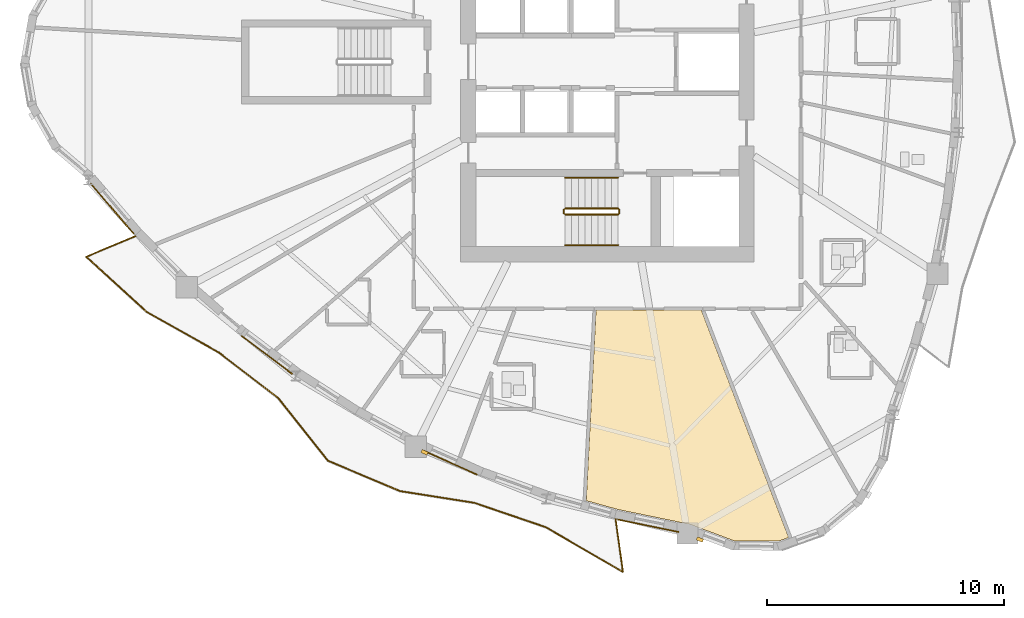
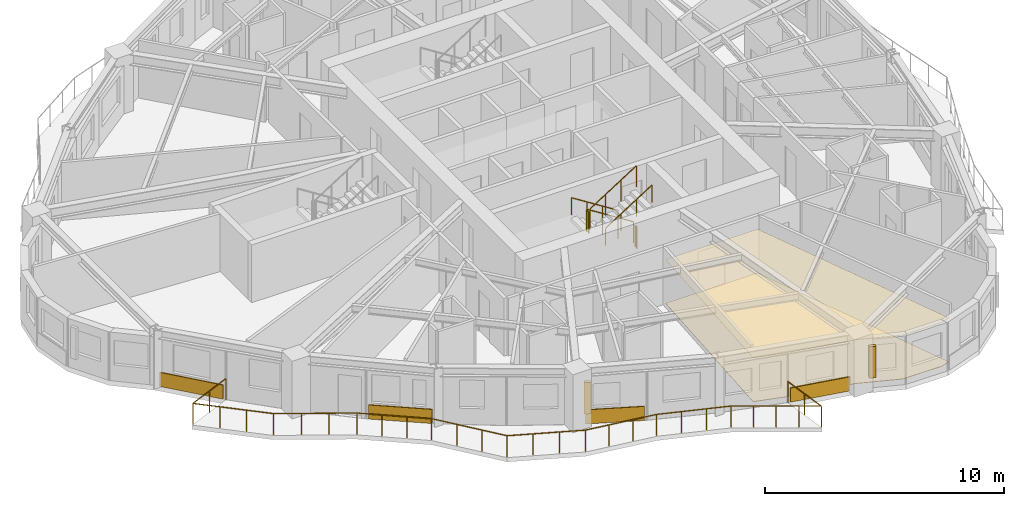
# One storey, part 10 of 13: 7 railings, 6 coverings, 2 shading devices.
"""IFC4 building model written with IfcOpenShell, lengths in metres."""

from ifc_helpers import new_model, si_unit, direction, frame, origin, origin_2d, place, context, subcontext, project, spatial, polyline, rectangle, circle, outline, extrude, source, transform, mapped, material, layer, layer_set, type_object, element, save


model = new_model("IFC4")

# Units and contexts
model_context = context("Model", 3, precision=1e-05, world=origin(), true_north=direction((0.0, 1.0)))
body_context = subcontext(model_context, "Body", "Model", "MODEL_VIEW")
ifc_project = project(units=[si_unit("LENGTHUNIT", "METRE"), si_unit("AREAUNIT", "SQUARE_METRE"), si_unit("VOLUMEUNIT", "CUBIC_METRE"), si_unit("PLANEANGLEUNIT", "RADIAN"), si_unit("MASSUNIT", "GRAM", prefix="KILO")], contexts=[model_context])

# Site, building, storey
site_placement = place(None, origin())
site = spatial("IfcSite", under=ifc_project, at=site_placement, CompositionType="ELEMENT")
building_placement = place(site_placement, origin())
building = spatial("IfcBuilding", under=site, at=building_placement, Name="Qafzar Sky-Pleat Residences", CompositionType="ELEMENT")
storey_placement = place(building_placement, frame((0.0, 0.0, 102.39990234375)))
storey = spatial("IfcBuildingStorey", under=building, at=storey_placement, Name="L30", CompositionType="ELEMENT", Elevation=102.39990234375)

# Coverings
ifc_material_1 = material(Name="Perforated acoustic gypsum board ceiling")
ifc_layer_1 = layer(ifc_material_1, 0.02001953125)
ifc_layer_set_1 = layer_set([ifc_layer_1], Name="Perforated acoustic gypsum board ceiling")
covering_type_1 = type_object("IfcCoveringType", Name="COV-CEIL-ACOUSTIC", PredefinedType="CEILING", material=ifc_layer_set_1)
covering_1_placement = place(storey_placement, frame((0.0, 0.0, 2.239990234375)))
element("IfcCovering", 1, at=covering_1_placement, inside=storey, type_object=covering_type_1, Name="L30 Co-Living Lounge Acoustic Ceiling", PredefinedType="CEILING", context=body_context, shape_type="SweptSolid", body=[
    extrude(outline(polyline([(37.58349609375, 5.749267578125), (35.69873046875, 5.76220703125), (33.840087890625, 6.456298828125), (30.7822265625, 7.086181640625), (29.45166015625, 7.45849609375), (29.867919921875, 15.510009765625), (34.315185546875, 15.510009765625), (38.006591796875, 5.900634765625), (37.58349609375, 5.749267578125)])), origin(), (0.0, 0.0, 1.0), 0.02001953125),
])
ifc_material_2 = material(Name="Honed porcelain and Riyadh stone tile flooring", Category="masonry")
ifc_layer_2 = layer(ifc_material_2, 0.02001953125)
ifc_layer_set_2 = layer_set([ifc_layer_2], Name="Honed porcelain and Riyadh stone tile flooring")
covering_type_2 = type_object("IfcCoveringType", Name="COV-FLR-PORCELAIN", PredefinedType="FLOORING", material=ifc_layer_set_2)
covering_2_placement = place(storey_placement, origin())
element("IfcCovering", 2, at=covering_2_placement, inside=storey, type_object=covering_type_2, Name="L30 Co-Living Lounge Honed Stone Flooring", PredefinedType="FLOORING", context=body_context, shape_type="SweptSolid", body=[
    extrude(outline(polyline([(37.58349609375, 5.749267578125), (35.69873046875, 5.76220703125), (33.840087890625, 6.456298828125), (30.7822265625, 7.086181640625), (29.45166015625, 7.45849609375), (29.867919921875, 15.510009765625), (34.315185546875, 15.510009765625), (38.006591796875, 5.900634765625), (37.58349609375, 5.749267578125)])), origin(), (0.0, 0.0, 1.0), 0.02001953125),
])

# Shading devices
ifc_material_3 = material(Name="Honed Riyadh limestone solar fin", Category="masonry")
ifc_layer_3 = layer(ifc_material_3, 0.139892578125)
ifc_layer_set_3 = layer_set([ifc_layer_3], Name="Honed Riyadh limestone solar fin")
shading_device_type = type_object("IfcShadingDeviceType", Name="SHD-FIN-STONE", PredefinedType="SHUTTER", material=ifc_layer_set_3)
shared_shape_1 = source(origin(), body_context, "Body", "SweptSolid", [
    extrude(rectangle(XDim=0.139892578125, YDim=0.280029296875, at=origin_2d()), origin(), (0.0, 0.0, 1.0), 1.60009765625),
])
for number, where, z_axis, x_axis, name in (
    (3, (22.621337890625, 9.502685546875, 0.60009765625), (0.0, 0.0, 1.0), (-0.407007311854, -0.913424900086, 0.0), "L30 Limestone Solar Fin 13"),
    (4, (34.257568359375, 5.814697265625, 0.60009765625), (0.0, 0.0, 1.0), (-0.349866381476, -0.936799613105, 0.0), "L30 Limestone Solar Fin 17"),
):
    element("IfcShadingDevice", number, at=place(storey_placement, frame(where, z_axis=z_axis, x_axis=x_axis)), inside=storey, type_object=shading_device_type, Name=name, PredefinedType="SHUTTER", context=body_context, shape_type="MappedRepresentation", body=[
        mapped(shared_shape_1, transform((0.0, 0.0, 0.0), x_axis=(1.0, 0.0, 0.0), y_axis=(0.0, 1.0, 0.0), z_axis=(0.0, 0.0, 1.0), scale=1.0)),
    ])

# Railing
ifc_material_4 = material(Name="Laminated glass and bronze steel balustrade", Category="steel")
railing_type_1 = type_object("IfcRailingType", Name="RAIL-BAL-1100", PredefinedType="BALUSTRADE", material=ifc_material_4)
shared_shape_2 = source(origin(), body_context, "Body", "SweptSolid", [
    extrude(circle(Radius=0.02392578125, at=origin_2d()), frame((0.0, 0.0, 1.076171875), z_axis=(-0.922372397599, -0.386301902853, 0.0), x_axis=(0.386301902853, -0.922372397599, 0.0)), (0.0, 0.0, 1.0), 2.270751953125),
    extrude(circle(Radius=0.02392578125, at=origin_2d()), frame((-2.094482421875, -0.877197265625, 1.076171875), z_axis=(0.737920092882, -0.67488809185, 0.0), x_axis=(0.67488809185, 0.737920092882, 0.0)), (0.0, 0.0, 1.0), 3.451171875),
    extrude(circle(Radius=0.02392578125, at=origin_2d()), frame((0.4521484375, -3.206298828125, 1.076171875), z_axis=(0.871838702574, -0.4897930958, 0.0), x_axis=(0.4897930958, 0.871838702574, 0.0)), (0.0, 0.0, 1.0), 3.49169921875),
    extrude(circle(Radius=0.02392578125, at=origin_2d()), frame((3.496337890625, -4.91650390625, 1.076171875), z_axis=(0.79366608484, -0.608353635458, 0.0), x_axis=(0.608353635458, 0.79366608484, 0.0)), (0.0, 0.0, 1.0), 3.157958984375),
    extrude(circle(Radius=0.02392578125, at=origin_2d()), frame((6.002685546875, -6.837646484375, 1.076171875), z_axis=(0.621723746758, -0.78323660711, 0.0), x_axis=(0.78323660711, 0.621723746758, 0.0)), (0.0, 0.0, 1.0), 3.39208984375),
    extrude(circle(Radius=0.02392578125, at=origin_2d()), frame((8.111572265625, -9.494384765625, 1.076171875), z_axis=(0.921530903709, -0.388305026376, 0.0), x_axis=(0.388305026376, 0.921530903709, 0.0)), (0.0, 0.0, 1.0), 3.30029296875),
    extrude(circle(Radius=0.02392578125, at=origin_2d()), frame((11.15283203125, -10.77587890625, 1.076171875), z_axis=(0.987713419374, -0.156276041632, 0.0), x_axis=(0.156276041632, 0.987713419374, 0.0)), (0.0, 0.0, 1.0), 3.199462890625),
    extrude(circle(Radius=0.02392578125, at=origin_2d()), frame((14.31298828125, -11.27587890625, 1.076171875), z_axis=(0.946044959925, -0.324035389735, 0.0), x_axis=(0.324035389735, 0.946044959925, 0.0)), (0.0, 0.0, 1.0), 3.17578125),
    extrude(circle(Radius=0.02392578125, at=origin_2d()), frame((17.3173828125, -12.304931640625, 1.076171875), z_axis=(0.865043001195, -0.501697723818, 0.0), x_axis=(0.501697723818, 0.865043001195, 0.0)), (0.0, 0.0, 1.0), 3.767578125),
    extrude(circle(Radius=0.02392578125, at=origin_2d()), frame((20.576416015625, -14.195068359375, 1.076171875), z_axis=(-0.138154338378, 0.990410712173, 0.0), x_axis=(-0.990410712173, -0.138154338378, 0.0)), (0.0, 0.0, 1.0), 2.270751953125),
    extrude(circle(Radius=0.02099609375, at=origin_2d()), origin(), (0.0, 0.0, 1.0), 1.052001953125),
    extrude(circle(Radius=0.02099609375, at=origin_2d()), frame((-1.04736328125, -0.4384765625, 0.0)), (0.0, 0.0, 1.0), 1.052001953125),
    extrude(circle(Radius=0.02099609375, at=origin_2d()), frame((-2.094482421875, -0.877197265625, 0.0)), (0.0, 0.0, 1.0), 1.052001953125),
    extrude(circle(Radius=0.02099609375, at=origin_2d()), frame((-1.24560546875, -1.653564453125, 0.0)), (0.0, 0.0, 1.0), 1.052001953125),
    extrude(circle(Radius=0.02099609375, at=origin_2d()), frame((-0.396728515625, -2.429931640625, 0.0)), (0.0, 0.0, 1.0), 1.052001953125),
    extrude(circle(Radius=0.02099609375, at=origin_2d()), frame((0.4521484375, -3.206298828125, 0.0)), (0.0, 0.0, 1.0), 1.052001953125),
    extrude(circle(Radius=0.02099609375, at=origin_2d()), frame((1.466796875, -3.7763671875, 0.0)), (0.0, 0.0, 1.0), 1.052001953125),
    extrude(circle(Radius=0.02099609375, at=origin_2d()), frame((2.481689453125, -4.346435546875, 0.0)), (0.0, 0.0, 1.0), 1.052001953125),
    extrude(circle(Radius=0.02099609375, at=origin_2d()), frame((3.496337890625, -4.91650390625, 0.0)), (0.0, 0.0, 1.0), 1.052001953125),
    extrude(circle(Radius=0.02099609375, at=origin_2d()), frame((4.331787109375, -5.556884765625, 0.0)), (0.0, 0.0, 1.0), 1.052001953125),
    extrude(circle(Radius=0.02099609375, at=origin_2d()), frame((5.167236328125, -6.197265625, 0.0)), (0.0, 0.0, 1.0), 1.052001953125),
    extrude(circle(Radius=0.02099609375, at=origin_2d()), frame((6.002685546875, -6.837646484375, 0.0)), (0.0, 0.0, 1.0), 1.052001953125),
    extrude(circle(Radius=0.02099609375, at=origin_2d()), frame((6.70556640625, -7.72314453125, 0.0)), (0.0, 0.0, 1.0), 1.052001953125),
    extrude(circle(Radius=0.02099609375, at=origin_2d()), frame((7.40869140625, -8.60888671875, 0.0)), (0.0, 0.0, 1.0), 1.052001953125),
    extrude(circle(Radius=0.02099609375, at=origin_2d()), frame((8.111572265625, -9.494384765625, 0.0)), (0.0, 0.0, 1.0), 1.052001953125),
    extrude(circle(Radius=0.02099609375, at=origin_2d()), frame((9.125244140625, -9.921630859375, 0.0)), (0.0, 0.0, 1.0), 1.052001953125),
    extrude(circle(Radius=0.02099609375, at=origin_2d()), frame((10.13916015625, -10.3486328125, 0.0)), (0.0, 0.0, 1.0), 1.052001953125),
    extrude(circle(Radius=0.02099609375, at=origin_2d()), frame((11.15283203125, -10.77587890625, 0.0)), (0.0, 0.0, 1.0), 1.052001953125),
    extrude(circle(Radius=0.02099609375, at=origin_2d()), frame((12.206298828125, -10.942626953125, 0.0)), (0.0, 0.0, 1.0), 1.052001953125),
    extrude(circle(Radius=0.02099609375, at=origin_2d()), frame((13.259521484375, -11.109130859375, 0.0)), (0.0, 0.0, 1.0), 1.052001953125),
    extrude(circle(Radius=0.02099609375, at=origin_2d()), frame((14.31298828125, -11.27587890625, 0.0)), (0.0, 0.0, 1.0), 1.052001953125),
    extrude(circle(Radius=0.02099609375, at=origin_2d()), frame((15.314453125, -11.618896484375, 0.0)), (0.0, 0.0, 1.0), 1.052001953125),
    extrude(circle(Radius=0.02099609375, at=origin_2d()), frame((16.31591796875, -11.9619140625, 0.0)), (0.0, 0.0, 1.0), 1.052001953125),
    extrude(circle(Radius=0.02099609375, at=origin_2d()), frame((17.3173828125, -12.304931640625, 0.0)), (0.0, 0.0, 1.0), 1.052001953125),
    extrude(circle(Radius=0.02099609375, at=origin_2d()), frame((18.132080078125, -12.77734375, 0.0)), (0.0, 0.0, 1.0), 1.052001953125),
    extrude(circle(Radius=0.02099609375, at=origin_2d()), frame((18.94677734375, -13.25, 0.0)), (0.0, 0.0, 1.0), 1.052001953125),
    extrude(circle(Radius=0.02099609375, at=origin_2d()), frame((19.76171875, -13.72265625, 0.0)), (0.0, 0.0, 1.0), 1.052001953125),
    extrude(circle(Radius=0.02099609375, at=origin_2d()), frame((20.576416015625, -14.195068359375, 0.0)), (0.0, 0.0, 1.0), 1.052001953125),
    extrude(circle(Radius=0.02099609375, at=origin_2d()), frame((20.41943359375, -13.070556640625, 0.0)), (0.0, 0.0, 1.0), 1.052001953125),
    extrude(circle(Radius=0.02099609375, at=origin_2d()), frame((20.2626953125, -11.946044921875, 0.0)), (0.0, 0.0, 1.0), 1.052001953125),
])
railing_1_placement = place(storey_placement, frame((10.42919921875, 18.64111328125, 0.0)))
element("IfcRailing", 5, at=railing_1_placement, inside=storey, type_object=railing_type_1, Name="L30 Pleated Balcony 3 Balustrade", PredefinedType="BALUSTRADE", context=body_context, shape_type="MappedRepresentation", body=[
    mapped(shared_shape_2, transform((0.0, 0.0, 0.0), x_axis=(1.0, 0.0, 0.0), y_axis=(0.0, 1.0, 0.0), z_axis=(0.0, 0.0, 1.0), scale=1.0)),
])

# Coverings
ifc_material_5 = material(Name="Honed Riyadh Tuwaiq limestone cladding", Category="masonry")
ifc_layer_4 = layer(ifc_material_5, 0.044921875)
ifc_layer_set_4 = layer_set([ifc_layer_4], Name="Honed Riyadh Tuwaiq limestone cladding")
covering_type_3 = type_object("IfcCoveringType", Name="COV-CLAD-STONE", PredefinedType="CLADDING", material=ifc_layer_set_4)
shared_shape_3 = source(origin(), body_context, "Body", "SweptSolid", [
    extrude(rectangle(XDim=2.811279296875, YDim=0.044921875, at=origin_2d()), origin(), (0.0, 0.0, 1.0), 0.719970703125),
])
covering_3_placement = place(storey_placement, frame((9.43212890625, 19.788330078125, 0.02001953125), z_axis=(0.0, 0.0, 1.0), x_axis=(0.650754460278, -0.759288240675, 0.0)))
element("IfcCovering", 6, at=covering_3_placement, inside=storey, type_object=covering_type_3, Name="L30 Riyadh Limestone Spandrel Cladding 7", PredefinedType="CLADDING", context=body_context, shape_type="MappedRepresentation", body=[
    mapped(shared_shape_3, transform((0.0, 0.0, 0.0), x_axis=(1.0, 0.0, 0.0), y_axis=(0.0, 1.0, 0.0), z_axis=(0.0, 0.0, 1.0), scale=1.0)),
])
shared_shape_4 = source(origin(), body_context, "Body", "SweptSolid", [
    extrude(rectangle(XDim=2.677978515625, YDim=0.044921875, at=origin_2d()), origin(), (0.0, 0.0, 1.0), 0.719970703125),
])
covering_4_placement = place(storey_placement, frame((15.966552734375, 13.6162109375, 0.02001953125), z_axis=(0.0, 0.0, 1.0), x_axis=(0.798383940109, -0.602148722639, 0.0)))
element("IfcCovering", 7, at=covering_4_placement, inside=storey, type_object=covering_type_3, Name="L30 Riyadh Limestone Spandrel Cladding 10", PredefinedType="CLADDING", context=body_context, shape_type="MappedRepresentation", body=[
    mapped(shared_shape_4, transform((0.0, 0.0, 0.0), x_axis=(1.0, 0.0, 0.0), y_axis=(0.0, 1.0, 0.0), z_axis=(0.0, 0.0, 1.0), scale=1.0)),
])
shared_shape_5 = source(origin(), body_context, "Body", "SweptSolid", [
    extrude(rectangle(XDim=2.489013671875, YDim=0.044921875, at=origin_2d()), origin(), (0.0, 0.0, 1.0), 0.719970703125),
])
covering_5_placement = place(storey_placement, frame((23.710205078125, 9.064697265625, 0.02001953125), z_axis=(0.0, 0.0, 1.0), x_axis=(0.913417453133, -0.407024024245, 0.0)))
element("IfcCovering", 8, at=covering_5_placement, inside=storey, type_object=covering_type_3, Name="L30 Riyadh Limestone Spandrel Cladding 13", PredefinedType="CLADDING", context=body_context, shape_type="MappedRepresentation", body=[
    mapped(shared_shape_5, transform((0.0, 0.0, 0.0), x_axis=(1.0, 0.0, 0.0), y_axis=(0.0, 1.0, 0.0), z_axis=(0.0, 0.0, 1.0), scale=1.0)),
])
shared_shape_6 = source(origin(), body_context, "Body", "SweptSolid", [
    extrude(rectangle(XDim=2.6220703125, YDim=0.044921875, at=origin_2d()), origin(), (0.0, 0.0, 1.0), 0.719970703125),
])
covering_6_placement = place(storey_placement, frame((32.0751953125, 6.399169921875, 0.02001953125), z_axis=(0.0, 0.0, 1.0), x_axis=(0.979428919574, -0.201789473218, 0.0)))
element("IfcCovering", 9, at=covering_6_placement, inside=storey, type_object=covering_type_3, Name="L30 Riyadh Limestone Spandrel Cladding 16", PredefinedType="CLADDING", context=body_context, shape_type="MappedRepresentation", body=[
    mapped(shared_shape_6, transform((0.0, 0.0, 0.0), x_axis=(1.0, 0.0, 0.0), y_axis=(0.0, 1.0, 0.0), z_axis=(0.0, 0.0, 1.0), scale=1.0)),
])

# Railings
ifc_material_6 = material(Name="Painted Steel S355 stair guardrail", Category="steel")
railing_type_2 = type_object("IfcRailingType", Name="RAIL-STAIR-GUARD", PredefinedType="GUARDRAIL", material=ifc_material_6)
shared_shape_7 = source(origin(), body_context, "Body", "SweptSolid", [
    extrude(circle(Radius=0.02392578125, at=origin_2d()), frame((0.0, 0.0, 1.076171875), z_axis=(0.0, -1.0, 0.0), x_axis=(1.0, 0.0, 0.0)), (0.0, 0.0, 1.0), 0.14990234375),
    extrude(circle(Radius=0.02099609375, at=origin_2d()), origin(), (0.0, 0.0, 1.0), 1.052001953125),
    extrude(circle(Radius=0.02099609375, at=origin_2d()), frame((0.0, -0.14990234375, 0.0)), (0.0, 0.0, 1.0), 1.052001953125),
])
for number, where, name in (
    (10, (28.510009765625, 19.75, 1.60009765625), "L30 ST1 stair guard 2"),
    (11, (30.85009765625, 19.75, 0.0), "L30 ST1 stair guard 4"),
):
    element("IfcRailing", number, at=place(storey_placement, frame(where)), inside=storey, type_object=railing_type_2, Name=name, PredefinedType="GUARDRAIL", context=body_context, shape_type="MappedRepresentation", body=[
        mapped(shared_shape_7, transform((0.0, 0.0, 0.0), x_axis=(1.0, 0.0, 0.0), y_axis=(0.0, 1.0, 0.0), z_axis=(0.0, 0.0, 1.0), scale=1.0)),
    ])
shared_shape_8 = source(origin(), body_context, "Body", "SweptSolid", [
    extrude(circle(Radius=0.02392578125, at=origin_2d()), frame((0.0, 0.0, 1.076171875), z_axis=(-0.8442293374, 0.0, 0.53598211339), x_axis=(0.0, -1.0, 0.0)), (0.0, 0.0, 1.0), 2.6533203125),
    extrude(circle(Radius=0.02099609375, at=origin_2d()), origin(), (0.0, 0.0, 1.0), 1.052001953125),
    extrude(circle(Radius=0.02099609375, at=origin_2d()), frame((-0.74658203125, 0.0, 0.47412109375)), (0.0, 0.0, 1.0), 1.052001953125),
    extrude(circle(Radius=0.02099609375, at=origin_2d()), frame((-1.493408203125, 0.0, 0.947998046875)), (0.0, 0.0, 1.0), 1.052001953125),
    extrude(circle(Radius=0.02099609375, at=origin_2d()), frame((-2.239990234375, 0.0, 1.422119140625)), (0.0, 0.0, 1.0), 1.052001953125),
])
railing_2_placement = place(storey_placement, frame((30.800048828125, 19.800048828125, 0.177978515625)))
element("IfcRailing", 12, at=railing_2_placement, inside=storey, type_object=railing_type_2, Name="L30 ST1 stair guard 1", PredefinedType="GUARDRAIL", context=body_context, shape_type="MappedRepresentation", body=[
    mapped(shared_shape_8, transform((0.0, 0.0, 0.0), x_axis=(1.0, 0.0, 0.0), y_axis=(0.0, 1.0, 0.0), z_axis=(0.0, 0.0, 1.0), scale=1.0)),
])
ifc_material_7 = material(Name="Brushed stainless steel handrail", Category="steel")
railing_type_3 = type_object("IfcRailingType", Name="RAIL-STAIR-HAND", PredefinedType="HANDRAIL", material=ifc_material_7)
shared_shape_9 = source(origin(), body_context, "Body", "SweptSolid", [
    extrude(circle(Radius=0.02392578125, at=origin_2d()), frame((0.0, 0.0, 0.8759765625), z_axis=(-0.8442293374, 0.0, 0.53598211339), x_axis=(0.0, -1.0, 0.0)), (0.0, 0.0, 1.0), 2.6533203125),
    extrude(circle(Radius=0.02099609375, at=origin_2d()), origin(), (0.0, 0.0, 1.0), 0.851806640625),
    extrude(circle(Radius=0.02099609375, at=origin_2d()), frame((-0.74658203125, 0.0, 0.47412109375)), (0.0, 0.0, 1.0), 0.851806640625),
    extrude(circle(Radius=0.02099609375, at=origin_2d()), frame((-1.493408203125, 0.0, 0.947998046875)), (0.0, 0.0, 1.0), 0.851806640625),
    extrude(circle(Radius=0.02099609375, at=origin_2d()), frame((-2.239990234375, 0.0, 1.422119140625)), (0.0, 0.0, 1.0), 0.851806640625),
])
railing_3_placement = place(storey_placement, frame((30.800048828125, 21.10009765625, 0.177978515625)))
element("IfcRailing", 13, at=railing_3_placement, inside=storey, type_object=railing_type_3, Name="L30 ST1 stair handrail 1", PredefinedType="HANDRAIL", context=body_context, shape_type="MappedRepresentation", body=[
    mapped(shared_shape_9, transform((0.0, 0.0, 0.0), x_axis=(1.0, 0.0, 0.0), y_axis=(0.0, 1.0, 0.0), z_axis=(0.0, 0.0, 1.0), scale=1.0)),
])
shared_shape_10 = source(origin(), body_context, "Body", "SweptSolid", [
    extrude(circle(Radius=0.02392578125, at=origin_2d()), frame((0.0, 0.0, 1.076171875), z_axis=(0.84418770128, 0.0, 0.536047689118), x_axis=(0.0, 1.0, 0.0)), (0.0, 0.0, 1.0), 2.6533203125),
    extrude(circle(Radius=0.02099609375, at=origin_2d()), origin(), (0.0, 0.0, 1.0), 1.052001953125),
    extrude(circle(Radius=0.02099609375, at=origin_2d()), frame((0.74658203125, 0.0, 0.47412109375)), (0.0, 0.0, 1.0), 1.052001953125),
    extrude(circle(Radius=0.02099609375, at=origin_2d()), frame((1.493408203125, 0.0, 0.9482421875)), (0.0, 0.0, 1.0), 1.052001953125),
    extrude(circle(Radius=0.02099609375, at=origin_2d()), frame((2.239990234375, 0.0, 1.42236328125)), (0.0, 0.0, 1.0), 1.052001953125),
])
railing_4_placement = place(storey_placement, frame((28.56005859375, 19.550048828125, 1.77783203125)))
element("IfcRailing", 14, at=railing_4_placement, inside=storey, type_object=railing_type_2, Name="L30 ST1 stair guard 3", PredefinedType="GUARDRAIL", context=body_context, shape_type="MappedRepresentation", body=[
    mapped(shared_shape_10, transform((0.0, 0.0, 0.0), x_axis=(1.0, 0.0, 0.0), y_axis=(0.0, 1.0, 0.0), z_axis=(0.0, 0.0, 1.0), scale=1.0)),
])
shared_shape_11 = source(origin(), body_context, "Body", "SweptSolid", [
    extrude(circle(Radius=0.02392578125, at=origin_2d()), frame((0.0, 0.0, 0.8759765625), z_axis=(0.84418770128, 0.0, 0.536047689118), x_axis=(0.0, 1.0, 0.0)), (0.0, 0.0, 1.0), 2.6533203125),
    extrude(circle(Radius=0.02099609375, at=origin_2d()), origin(), (0.0, 0.0, 1.0), 0.851806640625),
    extrude(circle(Radius=0.02099609375, at=origin_2d()), frame((0.74658203125, 0.0, 0.47412109375)), (0.0, 0.0, 1.0), 0.851806640625),
    extrude(circle(Radius=0.02099609375, at=origin_2d()), frame((1.493408203125, 0.0, 0.9482421875)), (0.0, 0.0, 1.0), 0.851806640625),
    extrude(circle(Radius=0.02099609375, at=origin_2d()), frame((2.239990234375, 0.0, 1.42236328125)), (0.0, 0.0, 1.0), 0.851806640625),
])
railing_5_placement = place(storey_placement, frame((28.56005859375, 18.25, 1.77783203125)))
element("IfcRailing", 15, at=railing_5_placement, inside=storey, type_object=railing_type_3, Name="L30 ST1 stair handrail 2", PredefinedType="HANDRAIL", context=body_context, shape_type="MappedRepresentation", body=[
    mapped(shared_shape_11, transform((0.0, 0.0, 0.0), x_axis=(1.0, 0.0, 0.0), y_axis=(0.0, 1.0, 0.0), z_axis=(0.0, 0.0, 1.0), scale=1.0)),
])

save(model, "model.ifc")
